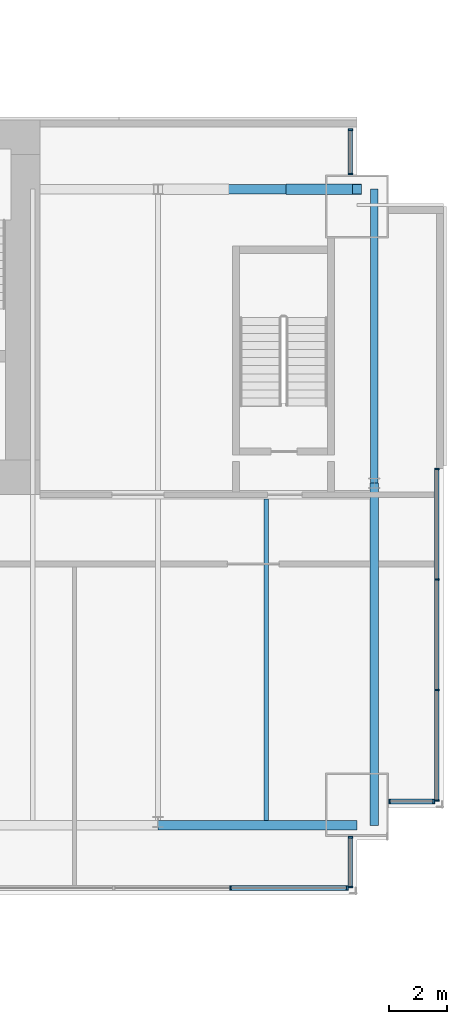
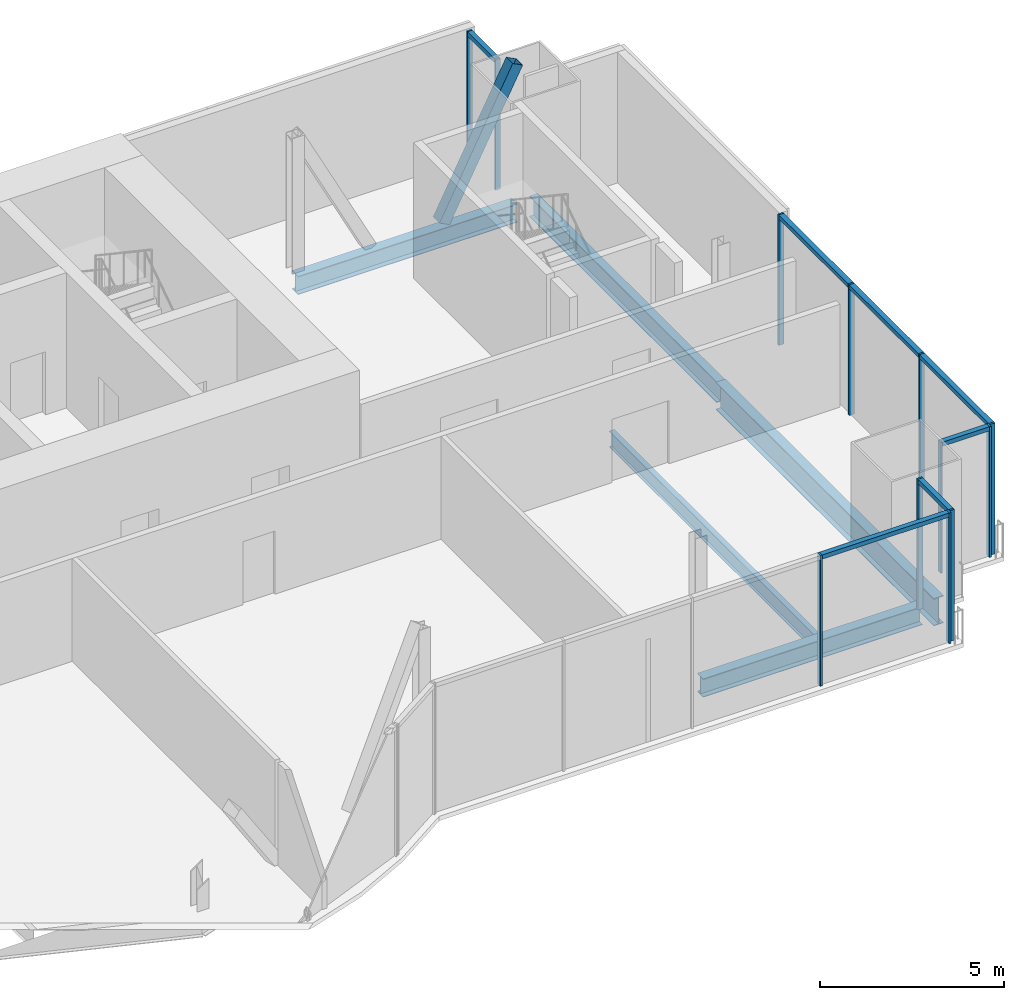
# One storey, part 10 of 18: 20 members, 5 beams, 5 elements without a shape of their own.
"""IFC4 building model written with IfcOpenShell, lengths in metres."""

from ifc_helpers import new_model, si_unit, direction, frame, origin, origin_2d, place, context, subcontext, project, spatial, rectangle, hollow_rectangle, i_section, extrude, material, material_profile, profile_set, type_object, element, aggregate, save


model = new_model("IFC4")

# Units and contexts
model_context = context("Model", 3, precision=1e-05, world=origin(), true_north=direction((0.0, 1.0)))
body_context = subcontext(model_context, "Body", "Model", "MODEL_VIEW")
ifc_project = project(units=[si_unit("LENGTHUNIT", "METRE"), si_unit("AREAUNIT", "SQUARE_METRE"), si_unit("VOLUMEUNIT", "CUBIC_METRE"), si_unit("PLANEANGLEUNIT", "RADIAN"), si_unit("MASSUNIT", "GRAM", prefix="KILO")], contexts=[model_context])

# Site, building, storey
site_placement = place(None, origin())
site = spatial("IfcSite", under=ifc_project, at=site_placement, CompositionType="ELEMENT")
building_placement = place(site_placement, origin())
building = spatial("IfcBuilding", under=site, at=building_placement, Name="Bicima Exchange Tower", CompositionType="ELEMENT")
storey_placement = place(building_placement, frame((0.0, 0.0, 302.0)))
storey = spatial("IfcBuildingStorey", under=building, at=storey_placement, Name="L68", CompositionType="ELEMENT", Elevation=302.0)

# Curtain wall, members
ifc_material_1 = material(Name="Anodised bronze aluminium", Category="aluminium")
curtain_wall_type_1 = type_object("IfcCurtainWallType", Name="End face glass wall", PredefinedType="NOTDEFINED", material=ifc_material_1)
curtain_wall_1_placement = place(storey_placement, origin())
curtain_wall_1 = element("IfcCurtainWall", 1, at=curtain_wall_1_placement, inside=storey, type_object=curtain_wall_type_1, Name="End face glass wall L68 run 19", PredefinedType="NOTDEFINED")
ifc_material_profile_1 = material_profile(ifc_material_1, rectangle(XDim=0.159912109375, YDim=0.06005859375, at=origin_2d()))
ifc_profile_set_1 = profile_set([ifc_material_profile_1], Name="Anodised bronze aluminium")
member_type_1 = type_object("IfcMemberType", Name="End face glass wall mullion 60 x 160", PredefinedType="MULLION", material=ifc_profile_set_1)
member_1_placement = place(storey_placement, frame((35.77001953125, -23.612060546875, 0.0), z_axis=(0.0, 0.0, 1.0), x_axis=(-1.0, 0.0, 0.0)))
member_1 = element("IfcMember", 2, at=member_1_placement, type_object=member_type_1, Name="End face glass wall mullion 1", PredefinedType="MULLION", context=body_context, shape_type="SweptSolid", body=[
    extrude(rectangle(XDim=0.159912109375, YDim=0.06005859375, at=origin_2d()), origin(), (0.0, 0.0, 1.0), 4.35009765625),
])
member_2_placement = place(storey_placement, frame((35.77001953125, -19.778076171875, 0.0), z_axis=(0.0, 0.0, 1.0), x_axis=(-1.0, 0.0, 0.0)))
member_2 = element("IfcMember", 3, at=member_2_placement, type_object=member_type_1, Name="End face glass wall mullion 2", PredefinedType="MULLION", context=body_context, shape_type="SweptSolid", body=[
    extrude(rectangle(XDim=0.159912109375, YDim=0.06005859375, at=origin_2d()), origin(), (0.0, 0.0, 1.0), 4.35009765625),
])
member_3_placement = place(storey_placement, frame((35.77001953125, -15.944091796875, 0.0), z_axis=(0.0, 0.0, 1.0), x_axis=(-1.0, 0.0, 0.0)))
member_3 = element("IfcMember", 4, at=member_3_placement, type_object=member_type_1, Name="End face glass wall mullion 3", PredefinedType="MULLION", context=body_context, shape_type="SweptSolid", body=[
    extrude(rectangle(XDim=0.159912109375, YDim=0.06005859375, at=origin_2d()), origin(), (0.0, 0.0, 1.0), 4.35009765625),
])
member_4_placement = place(storey_placement, frame((35.77001953125, -12.110107421875, 0.0), z_axis=(0.0, 0.0, 1.0), x_axis=(-1.0, 0.0, 0.0)))
member_4 = element("IfcMember", 5, at=member_4_placement, type_object=member_type_1, Name="End face glass wall mullion 4", PredefinedType="MULLION", context=body_context, shape_type="SweptSolid", body=[
    extrude(rectangle(XDim=0.159912109375, YDim=0.06005859375, at=origin_2d()), origin(), (0.0, 0.0, 1.0), 4.35009765625),
])
ifc_material_profile_2 = material_profile(ifc_material_1, rectangle(XDim=0.159912109375, YDim=0.139892578125, at=origin_2d()))
ifc_profile_set_2 = profile_set([ifc_material_profile_2], Name="Anodised bronze aluminium")
member_type_2 = type_object("IfcMemberType", Name="End face glass wall transom 140 x 160", PredefinedType="USERDEFINED", material=ifc_profile_set_2)
member_5_placement = place(storey_placement, frame((35.77001953125, -23.58203125, 4.280029296875), z_axis=(0.0, 1.0, 0.0), x_axis=(-1.0, 0.0, 0.0)))
member_5 = element("IfcMember", 6, at=member_5_placement, type_object=member_type_2, Name="End face glass wall transom 1.1", ObjectType="TRANSOM", PredefinedType="USERDEFINED", context=body_context, shape_type="SweptSolid", body=[
    extrude(rectangle(XDim=0.159912109375, YDim=0.139892578125, at=origin_2d()), origin(), (0.0, 0.0, 1.0), 3.77392578125),
])
member_6_placement = place(storey_placement, frame((35.77001953125, -19.748046875, 4.280029296875), z_axis=(0.0, 1.0, 0.0), x_axis=(-1.0, 0.0, 0.0)))
member_6 = element("IfcMember", 7, at=member_6_placement, type_object=member_type_2, Name="End face glass wall transom 2.1", ObjectType="TRANSOM", PredefinedType="USERDEFINED", context=body_context, shape_type="SweptSolid", body=[
    extrude(rectangle(XDim=0.159912109375, YDim=0.139892578125, at=origin_2d()), origin(), (0.0, 0.0, 1.0), 3.77392578125),
])
member_7_placement = place(storey_placement, frame((35.77001953125, -15.9140625, 4.280029296875), z_axis=(0.0, 1.0, 0.0), x_axis=(-1.0, 0.0, 0.0)))
member_7 = element("IfcMember", 8, at=member_7_placement, type_object=member_type_2, Name="End face glass wall transom 3.1", ObjectType="TRANSOM", PredefinedType="USERDEFINED", context=body_context, shape_type="SweptSolid", body=[
    extrude(rectangle(XDim=0.159912109375, YDim=0.139892578125, at=origin_2d()), origin(), (0.0, 0.0, 1.0), 3.774169921875),
])
aggregate(curtain_wall_1, [member_1, member_2, member_3, member_4, member_5, member_6, member_7])

# Beams
ifc_material_2 = material(Name="Steel ASTM A992 Gr 50", Category="steel")
ifc_material_profile_3 = material_profile(ifc_material_2, i_section(OverallWidth=0.256591796875, OverallDepth=0.693359375, WebThickness=0.014404296875, FlangeThickness=0.023681640625, at=origin_2d()))
ifc_profile_set_3 = profile_set([ifc_material_profile_3], Name="Steel ASTM A992 Gr 50")
beam_type_1 = type_object("IfcBeamType", Name="End girder W27x114", PredefinedType="BEAM", material=ifc_profile_set_3)
beam_1_placement = place(storey_placement, frame((33.60009765625, -2.39990234375, -0.49658203125), z_axis=(0.0, -1.0, 0.0), x_axis=(1.0, 0.0, 0.0)))
element("IfcBeam", 9, at=beam_1_placement, inside=storey, type_object=beam_type_1, Name="End girder", PredefinedType="BEAM", context=body_context, shape_type="SweptSolid", body=[
    extrude(i_section(OverallWidth=0.256591796875, OverallDepth=0.693359375, WebThickness=0.014404296875, FlangeThickness=0.023681640625, at=origin_2d()), origin(), (0.0, 0.0, 1.0), 10.2001953125),
])
ifc_material_profile_4 = material_profile(ifc_material_2, i_section(OverallWidth=0.3046875, OverallDepth=0.911865234375, WebThickness=0.015869140625, FlangeThickness=0.02392578125, at=origin_2d()))
ifc_profile_set_4 = profile_set([ifc_material_profile_4], Name="Steel ASTM A992 Gr 50")
beam_type_2 = type_object("IfcBeamType", Name="End girder W36x150", PredefinedType="BEAM", material=ifc_profile_set_4)
beam_2_placement = place(storey_placement, frame((33.60009765625, -12.60009765625, -0.60595703125), z_axis=(0.0, -1.0, 0.0), x_axis=(1.0, 0.0, 0.0)))
element("IfcBeam", 10, at=beam_2_placement, inside=storey, type_object=beam_type_2, Name="End girder", PredefinedType="BEAM", context=body_context, shape_type="SweptSolid", body=[
    extrude(i_section(OverallWidth=0.3046875, OverallDepth=0.911865234375, WebThickness=0.015869140625, FlangeThickness=0.02392578125, at=origin_2d()), origin(), (0.0, 0.0, 1.0), 11.871826171875),
])
ifc_material_profile_5 = material_profile(ifc_material_2, i_section(OverallWidth=0.165771484375, OverallDepth=0.5283203125, WebThickness=0.009765625, FlangeThickness=0.013671875, at=origin_2d()))
ifc_profile_set_5 = profile_set([ifc_material_profile_5], Name="Steel ASTM A992 Gr 50")
beam_type_3 = type_object("IfcBeamType", Name="Floor beam W21x50", PredefinedType="JOIST", material=ifc_profile_set_5)
beam_3_placement = place(storey_placement, frame((29.85009765625, -13.15234375, -0.414306640625), z_axis=(0.0, -1.0, 0.0), x_axis=(1.0, 0.0, 0.0)))
element("IfcBeam", 11, at=beam_3_placement, inside=storey, type_object=beam_type_3, Name="Floor beam", PredefinedType="JOIST", context=body_context, shape_type="SweptSolid", body=[
    extrude(i_section(OverallWidth=0.165771484375, OverallDepth=0.5283203125, WebThickness=0.009765625, FlangeThickness=0.013671875, at=origin_2d()), origin(), (0.0, 0.0, 1.0), 11.156982421875),
])
ifc_material_profile_6 = material_profile(ifc_material_2, i_section(OverallWidth=0.3251953125, OverallDepth=0.612060546875, WebThickness=0.0126953125, FlangeThickness=0.01904296875, at=origin_2d()))
ifc_profile_set_6 = profile_set([ifc_material_profile_6], Name="Steel ASTM A992 Gr 50")
beam_type_4 = type_object("IfcBeamType", Name="Front girder W24x104", PredefinedType="BEAM", material=ifc_profile_set_6)
beam_4_placement = place(storey_placement, frame((26.10009765625, -24.471923828125, -0.4560546875), z_axis=(1.0, 0.0, 0.0), x_axis=(0.0, 1.0, 0.0)))
element("IfcBeam", 12, at=beam_4_placement, inside=storey, type_object=beam_type_4, Name="Front girder", PredefinedType="BEAM", context=body_context, shape_type="SweptSolid", body=[
    extrude(i_section(OverallWidth=0.3251953125, OverallDepth=0.612060546875, WebThickness=0.0126953125, FlangeThickness=0.01904296875, at=origin_2d()), origin(), (0.0, 0.0, 1.0), 6.89990234375),
])

# Curtain wall, members
curtain_wall_type_2 = type_object("IfcCurtainWallType", Name="Front glass wall", PredefinedType="NOTDEFINED", material=ifc_material_1)
curtain_wall_2_placement = place(storey_placement, origin())
curtain_wall_2 = element("IfcCurtainWall", 13, at=curtain_wall_2_placement, inside=storey, type_object=curtain_wall_type_2, Name="Front glass wall L68 run 16", PredefinedType="NOTDEFINED")
member_type_3 = type_object("IfcMemberType", Name="Front glass wall mullion 60 x 160", PredefinedType="MULLION", material=ifc_profile_set_1)
member_8_placement = place(storey_placement, frame((28.610595703125, -26.64208984375, 0.0), z_axis=(0.0, 0.0, 1.0), x_axis=(0.0, 1.0, 0.0)))
member_8 = element("IfcMember", 14, at=member_8_placement, type_object=member_type_3, Name="Front glass wall mullion 4", PredefinedType="MULLION", context=body_context, shape_type="SweptSolid", body=[
    extrude(rectangle(XDim=0.159912109375, YDim=0.06005859375, at=origin_2d()), origin(), (0.0, 0.0, 1.0), 4.35009765625),
])
member_9_placement = place(storey_placement, frame((32.659912109375, -26.64208984375, 0.0), z_axis=(0.0, 0.0, 1.0), x_axis=(0.0, 1.0, 0.0)))
member_9 = element("IfcMember", 15, at=member_9_placement, type_object=member_type_3, Name="Front glass wall mullion 5", PredefinedType="MULLION", context=body_context, shape_type="SweptSolid", body=[
    extrude(rectangle(XDim=0.159912109375, YDim=0.06005859375, at=origin_2d()), origin(), (0.0, 0.0, 1.0), 4.35009765625),
])

curtain_wall_3_placement = place(storey_placement, origin())
curtain_wall_3 = element("IfcCurtainWall", 16, at=curtain_wall_3_placement, inside=storey, type_object=curtain_wall_type_2, Name="Front glass wall L68 run 17", PredefinedType="NOTDEFINED")
member_10_placement = place(storey_placement, frame((32.77001953125, -26.612060546875, 0.0), z_axis=(0.0, 0.0, 1.0), x_axis=(-1.0, 0.0, 0.0)))
member_10 = element("IfcMember", 17, at=member_10_placement, type_object=member_type_3, Name="Front glass wall mullion 1", PredefinedType="MULLION", context=body_context, shape_type="SweptSolid", body=[
    extrude(rectangle(XDim=0.159912109375, YDim=0.06005859375, at=origin_2d()), origin(), (0.0, 0.0, 1.0), 4.35009765625),
])
member_11_placement = place(storey_placement, frame((32.77001953125, -24.8798828125, 0.0), z_axis=(0.0, 0.0, 1.0), x_axis=(-1.0, 0.0, 0.0)))
member_11 = element("IfcMember", 18, at=member_11_placement, type_object=member_type_3, Name="Front glass wall mullion 2", PredefinedType="MULLION", context=body_context, shape_type="SweptSolid", body=[
    extrude(rectangle(XDim=0.159912109375, YDim=0.06005859375, at=origin_2d()), origin(), (0.0, 0.0, 1.0), 4.35009765625),
])

curtain_wall_4_placement = place(storey_placement, origin())
curtain_wall_4 = element("IfcCurtainWall", 19, at=curtain_wall_4_placement, inside=storey, type_object=curtain_wall_type_2, Name="Front glass wall L68 run 18", PredefinedType="NOTDEFINED")
member_12_placement = place(storey_placement, frame((34.1298828125, -23.64208984375, 0.0), z_axis=(0.0, 0.0, 1.0), x_axis=(0.0, 1.0, 0.0)))
member_12 = element("IfcMember", 20, at=member_12_placement, type_object=member_type_3, Name="Front glass wall mullion 1", PredefinedType="MULLION", context=body_context, shape_type="SweptSolid", body=[
    extrude(rectangle(XDim=0.159912109375, YDim=0.06005859375, at=origin_2d()), origin(), (0.0, 0.0, 1.0), 4.35009765625),
])
member_13_placement = place(storey_placement, frame((35.659912109375, -23.64208984375, 0.0), z_axis=(0.0, 0.0, 1.0), x_axis=(0.0, 1.0, 0.0)))
member_13 = element("IfcMember", 21, at=member_13_placement, type_object=member_type_3, Name="Front glass wall mullion 2", PredefinedType="MULLION", context=body_context, shape_type="SweptSolid", body=[
    extrude(rectangle(XDim=0.159912109375, YDim=0.06005859375, at=origin_2d()), origin(), (0.0, 0.0, 1.0), 4.35009765625),
])

curtain_wall_5_placement = place(storey_placement, origin())
curtain_wall_5 = element("IfcCurtainWall", 22, at=curtain_wall_5_placement, inside=storey, type_object=curtain_wall_type_2, Name="Front glass wall L68 run 20", PredefinedType="NOTDEFINED")
member_14_placement = place(storey_placement, frame((32.77001953125, -1.8701171875, 0.0), z_axis=(0.0, 0.0, 1.0), x_axis=(-1.0, 0.0, 0.0)))
member_14 = element("IfcMember", 23, at=member_14_placement, type_object=member_type_3, Name="Front glass wall mullion 1", PredefinedType="MULLION", context=body_context, shape_type="SweptSolid", body=[
    extrude(rectangle(XDim=0.159912109375, YDim=0.06005859375, at=origin_2d()), origin(), (0.0, 0.0, 1.0), 4.35009765625),
])
member_15_placement = place(storey_placement, frame((32.77001953125, -0.340087890625, 0.0), z_axis=(0.0, 0.0, 1.0), x_axis=(-1.0, 0.0, 0.0)))
member_15 = element("IfcMember", 24, at=member_15_placement, type_object=member_type_3, Name="Front glass wall mullion 2", PredefinedType="MULLION", context=body_context, shape_type="SweptSolid", body=[
    extrude(rectangle(XDim=0.159912109375, YDim=0.06005859375, at=origin_2d()), origin(), (0.0, 0.0, 1.0), 4.35009765625),
])

# Member
member_type_4 = type_object("IfcMemberType", Name="Front glass wall transom 140 x 160", PredefinedType="USERDEFINED", material=ifc_profile_set_2)
member_16_placement = place(storey_placement, frame((28.640380859375, -26.64208984375, 4.280029296875), z_axis=(1.0, 0.0, 0.0), x_axis=(0.0, 1.0, 0.0)))
member_16 = element("IfcMember", 25, at=member_16_placement, type_object=member_type_4, Name="Front glass wall transom 4.1", ObjectType="TRANSOM", PredefinedType="USERDEFINED", context=body_context, shape_type="SweptSolid", body=[
    extrude(rectangle(XDim=0.159912109375, YDim=0.139892578125, at=origin_2d()), origin(), (0.0, 0.0, 1.0), 3.989501953125),
])

aggregate(curtain_wall_2, [member_8, member_9, member_16])

member_17_placement = place(storey_placement, frame((32.77001953125, -26.58203125, 4.280029296875), z_axis=(0.0, 1.0, 0.0), x_axis=(-1.0, 0.0, 0.0)))
member_17 = element("IfcMember", 26, at=member_17_placement, type_object=member_type_4, Name="Front glass wall transom 1.1", ObjectType="TRANSOM", PredefinedType="USERDEFINED", context=body_context, shape_type="SweptSolid", body=[
    extrude(rectangle(XDim=0.159912109375, YDim=0.139892578125, at=origin_2d()), origin(), (0.0, 0.0, 1.0), 1.672119140625),
])

aggregate(curtain_wall_3, [member_10, member_11, member_17])

member_18_placement = place(storey_placement, frame((34.159912109375, -23.64208984375, 4.280029296875), z_axis=(1.0, 0.0, 0.0), x_axis=(0.0, 1.0, 0.0)))
member_18 = element("IfcMember", 27, at=member_18_placement, type_object=member_type_4, Name="Front glass wall transom 1.1", ObjectType="TRANSOM", PredefinedType="USERDEFINED", context=body_context, shape_type="SweptSolid", body=[
    extrude(rectangle(XDim=0.159912109375, YDim=0.139892578125, at=origin_2d()), origin(), (0.0, 0.0, 1.0), 1.469970703125),
])

aggregate(curtain_wall_4, [member_12, member_13, member_18])

member_19_placement = place(storey_placement, frame((32.77001953125, -1.840087890625, 4.280029296875), z_axis=(0.0, 1.0, 0.0), x_axis=(-1.0, 0.0, 0.0)))
member_19 = element("IfcMember", 28, at=member_19_placement, type_object=member_type_4, Name="Front glass wall transom 1.1", ObjectType="TRANSOM", PredefinedType="USERDEFINED", context=body_context, shape_type="SweptSolid", body=[
    extrude(rectangle(XDim=0.159912109375, YDim=0.139892578125, at=origin_2d()), origin(), (0.0, 0.0, 1.0), 1.469970703125),
])

aggregate(curtain_wall_5, [member_14, member_15, member_19])

ifc_material_3 = material(Name="Steel ASTM A572 Gr 50", Category="steel")
ifc_material_profile_7 = material_profile(ifc_material_3, hollow_rectangle(XDim=0.355712890625, YDim=0.355712890625, WallThickness=0.01171875, at=origin_2d()))
ifc_profile_set_7 = profile_set([ifc_material_profile_7], Name="Steel ASTM A572 Gr 50")
member_type_5 = type_object("IfcMemberType", Name="Mega brace HSS14x14x1/2", PredefinedType="BRACE", material=ifc_profile_set_7)
member_20_placement = place(storey_placement, frame((30.699951171875, -2.39990234375, 0.0), z_axis=(0.455118720355, 0.0, 0.890430766754), x_axis=(0.0, 1.0, 0.0)))
element("IfcMember", 29, at=member_20_placement, inside=storey, type_object=member_type_5, Name="Mega brace rear", PredefinedType="BRACE", context=body_context, shape_type="SweptSolid", body=[
    extrude(hollow_rectangle(XDim=0.355712890625, YDim=0.355712890625, WallThickness=0.01171875, at=origin_2d()), origin(), (0.0, 0.0, 1.0), 5.0537109375),
])

# Beam
beam_type_5 = type_object("IfcBeamType", Name="Rear girder W24x104", PredefinedType="BEAM", material=ifc_profile_set_6)
beam_5_placement = place(storey_placement, frame((26.10009765625, -2.39990234375, -0.4560546875), z_axis=(1.0, 0.0, 0.0), x_axis=(0.0, 1.0, 0.0)))
element("IfcBeam", 30, at=beam_5_placement, inside=storey, type_object=beam_type_5, Name="Rear girder", PredefinedType="BEAM", context=body_context, shape_type="SweptSolid", body=[
    extrude(i_section(OverallWidth=0.3251953125, OverallDepth=0.612060546875, WebThickness=0.0126953125, FlangeThickness=0.01904296875, at=origin_2d()), origin(), (0.0, 0.0, 1.0), 6.89990234375),
])

save(model, "model.ifc")
